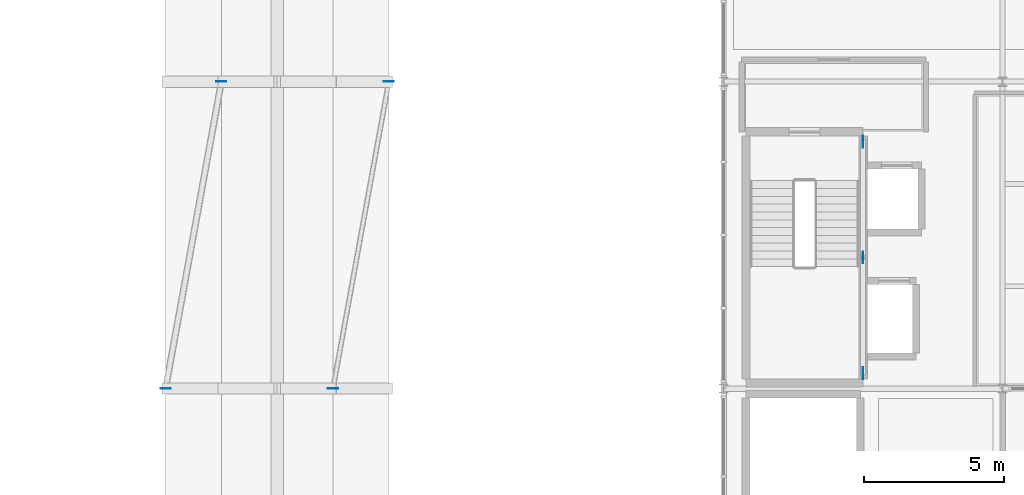
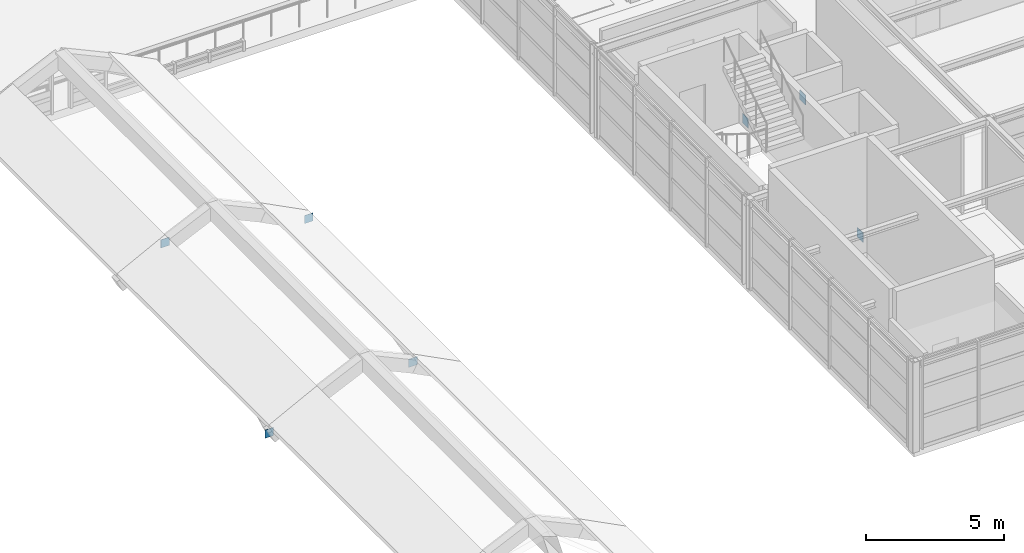
# One storey, part 37 of 49: 7 plates.
"""IFC4 building model written with IfcOpenShell, lengths in metres."""

import ifcopenshell
import ifcopenshell.guid

model = None  # the IFC model being written
_history = None  # IfcOwnerHistory: only IFC2X3 demands one
_inside = {}  # id of a spatial element -> (the spatial element, [elements in it])
_under = {}  # id of a project, library or spatial element -> (it, [spatial elements below it])
_declared = {}  # id of a project -> (the project, [libraries it declares])
_typed = {}  # id of a type object -> (the type object, [elements of that type])
_made_of = {}  # id of a material, layer set ... -> (it, [elements and type objects made of it])


def new_model(schema):
    """Start an empty IFC model of exactly this schema.

    Asked for "IFC4X3", IfcOpenShell would pick the latest addendum, in which some entities
    have other attributes; the version numbers below select the first issue.
    IFC2X3 requires an IfcOwnerHistory on every rooted entity: one is made here for all.
    """
    global model, _history
    if schema == "IFC4X3":
        model = ifcopenshell.file(schema_version=(4, 3, 0, 0))
    else:
        model = ifcopenshell.file(schema=schema)
    _inside.clear()
    _under.clear()
    _declared.clear()
    _typed.clear()
    _made_of.clear()
    _history = None
    if model.schema == "IFC2X3":
        org = make("IfcOrganization", Name="unknown")
        user = make(
            "IfcPersonAndOrganization",
            ThePerson=make("IfcPerson", FamilyName="unknown"),
            TheOrganization=org,
        )
        app = make(
            "IfcApplication",
            ApplicationDeveloper=org,
            Version="unknown",
            ApplicationFullName="unknown",
            ApplicationIdentifier="unknown",
        )
        _history = make(
            "IfcOwnerHistory",
            OwningUser=user,
            OwningApplication=app,
            ChangeAction="ADDED",
            CreationDate=0,
        )
    return model


def make(cls, **values):
    """One entity of the class cls with the attributes given. An attribute that is None is left unset."""
    return model.create_entity(
        cls, **{name: value for name, value in values.items() if value is not None}
    )


def rooted(cls, **values):
    """An entity with a GlobalId (a new one), such as an element, a storey or a relation."""
    return make(cls, GlobalId=ifcopenshell.guid.new(), OwnerHistory=_history, **values)


def si_unit(unit_type, name, prefix=None):
    """IfcSIUnit, for example si_unit("LENGTHUNIT", "METRE", prefix="MILLI")."""
    return make("IfcSIUnit", UnitType=unit_type, Prefix=prefix, Name=name)


def assignment(units):
    """IfcUnitAssignment: the units of a project."""
    return None if units is None else make("IfcUnitAssignment", Units=units)


def point(xyz):
    """IfcCartesianPoint."""
    return None if xyz is None else make("IfcCartesianPoint", Coordinates=xyz)


def direction(xyz):
    """IfcDirection."""
    return None if xyz is None else make("IfcDirection", DirectionRatios=xyz)


def frame(location, z_axis=None, x_axis=None):
    """IfcAxis2Placement3D, a coordinate frame: its origin and axes. An axis left out is left unset."""
    return make(
        "IfcAxis2Placement3D",
        Location=point(location),
        Axis=direction(z_axis),
        RefDirection=direction(x_axis),
    )


def frame_2d(location, x_axis=None):
    """IfcAxis2Placement2D, a coordinate frame in the plane: its origin and x axis."""
    return make(
        "IfcAxis2Placement2D", Location=point(location), RefDirection=direction(x_axis)
    )


def origin():
    """The frame at (0, 0, 0) with its axes left unset."""
    return frame((0.0, 0.0, 0.0))


def origin_2d():
    """The frame at (0, 0) in the plane with its x axis left unset."""
    return frame_2d((0.0, 0.0))


def place(relative_to, where):
    """IfcLocalPlacement: puts the frame where relative to a parent placement (None: the world)."""
    return make(
        "IfcLocalPlacement", PlacementRelTo=relative_to, RelativePlacement=where
    )


def context(
    kind, dimensions, precision=None, world=None, true_north=None, identifier=None
):
    """IfcGeometricRepresentationContext, for example the 3D "Model" context."""
    return make(
        "IfcGeometricRepresentationContext",
        ContextIdentifier=identifier,
        ContextType=kind,
        CoordinateSpaceDimension=dimensions,
        Precision=precision,
        WorldCoordinateSystem=world,
        TrueNorth=true_north,
    )


def subcontext(parent, identifier, kind, view, scale=None):
    """IfcGeometricRepresentationSubContext, for example "Body" below "Model"."""
    return make(
        "IfcGeometricRepresentationSubContext",
        ContextIdentifier=identifier,
        ContextType=kind,
        ParentContext=parent,
        TargetScale=scale,
        TargetView=view,
    )


def project(units=None, contexts=None):
    """IfcProject with its units and contexts."""
    return rooted(
        "IfcProject",
        Name="project",
        RepresentationContexts=contexts,
        UnitsInContext=assignment(units),
    )


def spatial(cls, under=None, at=None, **own):
    """A site, building, storey or space (cls), placed at a placement, below another one or the project."""
    s = rooted(cls, ObjectPlacement=at, **own)
    if under is not None:
        _under.setdefault(under.id(), (under, []))[1].append(s)
    return s


def profile(cls, at=None, kind="AREA", **sizes):
    """A parametric profile (cls). Its sizes go by their IFC names, for example OverallWidth=200.0."""
    return make(cls, ProfileType=kind, Position=at, **sizes)


def rectangle(**sizes):
    """IfcRectangleProfileDef."""
    return profile("IfcRectangleProfileDef", **sizes)


def extrude(swept, where, along, depth):
    """IfcExtrudedAreaSolid: the profile swept, set in the frame where, extruded along a direction by depth."""
    return make(
        "IfcExtrudedAreaSolid",
        SweptArea=swept,
        Position=where,
        ExtrudedDirection=direction(along),
        Depth=depth,
    )


def shape(context_of_items, identifier, shape_type, items):
    """IfcShapeRepresentation: the items that make up one representation, for example the "Body"."""
    return make(
        "IfcShapeRepresentation",
        ContextOfItems=context_of_items,
        RepresentationIdentifier=identifier,
        RepresentationType=shape_type,
        Items=items,
    )


def material(Name=None, Category=None):
    """IfcMaterial."""
    return make("IfcMaterial", Name=Name, Category=Category)


def layer(
    of_material, thickness, ventilated=None, Name=None, Category=None, Priority=None
):
    """IfcMaterialLayer: one layer of a wall or slab, of a material (None: an air gap)."""
    return make(
        "IfcMaterialLayer",
        Material=of_material,
        LayerThickness=thickness,
        IsVentilated=ventilated,
        Name=Name,
        Category=Category,
        Priority=Priority,
    )


def layer_set(layers, Name=None):
    """IfcMaterialLayerSet."""
    return make("IfcMaterialLayerSet", MaterialLayers=layers, LayerSetName=Name)


def made_of(thing, what):
    """Note that an element or type object is made of a material, layer set ...; save() writes the relation."""
    if what is not None:
        _made_of.setdefault(what.id(), (what, []))[1].append(thing)
    return thing


def type_object(cls, material=None, **own):
    """A type object (cls), such as IfcWallType, which elements share."""
    return made_of(rooted(cls, **own), material)


def element(
    cls,
    number,
    at=None,
    inside=None,
    cuts=None,
    type_object=None,
    material=None,
    context=None,
    identifier="Body",
    shape_type=None,
    held_by="IfcProductDefinitionShape",
    body=None,
    shapes=None,
    **own,
):
    """One element of the class cls, such as IfcWall. Its Tag is "e" and its number.

    at: its placement. inside: the storey or other place that contains it. cuts: it is an
    opening in that element (IfcRelVoidsElement). A single representation is given by context,
    identifier, shape_type and body (its items); several are given by shapes. held_by: the class
    of the entity that holds the representations. save() writes the other relations.
    """
    e = rooted(cls, Tag="e%d" % number, ObjectPlacement=at, **own)
    if body is not None:
        shapes = [shape(context, identifier, shape_type, body)]
    if shapes is not None:
        e.Representation = make(held_by, Representations=shapes)
    if inside is not None:
        _inside.setdefault(inside.id(), (inside, []))[1].append(e)
    if cuts is not None:
        rooted(
            "IfcRelVoidsElement", RelatingBuildingElement=cuts, RelatedOpeningElement=e
        )
    if type_object is not None:
        _typed.setdefault(type_object.id(), (type_object, []))[1].append(e)
    return made_of(e, material)


def aggregate(whole, parts):
    """IfcRelAggregates: a whole, such as a stair, and the parts it consists of."""
    return rooted("IfcRelAggregates", RelatingObject=whole, RelatedObjects=parts)


def save(model, path):
    """Write the relations noted so far, then the file.

    IfcRelAggregates (storeys below a building ...), IfcRelContainedInSpatialStructure (elements
    in a storey), IfcRelDefinesByType, IfcRelAssociatesMaterial and IfcRelDeclares: one each for
    every whole, place, type object, material and project.
    """
    for whole, parts in _under.values():
        aggregate(whole, parts)
    for where, things in _inside.values():
        rooted(
            "IfcRelContainedInSpatialStructure",
            RelatedElements=things,
            RelatingStructure=where,
        )
    for kind, things in _typed.values():
        rooted("IfcRelDefinesByType", RelatedObjects=things, RelatingType=kind)
    for what, things in _made_of.values():
        rooted("IfcRelAssociatesMaterial", RelatedObjects=things, RelatingMaterial=what)
    for by, libraries in _declared.values():
        rooted("IfcRelDeclares", RelatingContext=by, RelatedDefinitions=libraries)
    model.write(path)


model = new_model("IFC4")

# Units and contexts
model_context = context("Model", 3, precision=1e-05, world=origin(), true_north=direction((0.0, 1.0)))
body_context = subcontext(model_context, "Body", "Model", "MODEL_VIEW")
ifc_project = project(units=[si_unit("LENGTHUNIT", "METRE"), si_unit("AREAUNIT", "SQUARE_METRE"), si_unit("VOLUMEUNIT", "CUBIC_METRE"), si_unit("PLANEANGLEUNIT", "RADIAN"), si_unit("MASSUNIT", "GRAM", prefix="KILO")], contexts=[model_context])

# Site, building, storey
site_placement = place(None, origin())
site = spatial("IfcSite", under=ifc_project, at=site_placement, CompositionType="ELEMENT")
building_placement = place(site_placement, origin())
building = spatial("IfcBuilding", under=site, at=building_placement, Name="Sitalva Quay Ferry Terminal", CompositionType="ELEMENT")
storey_placement = place(building_placement, frame((0.0, 0.0, 10.199951171875)))
storey = spatial("IfcBuildingStorey", under=building, at=storey_placement, Name="L03", CompositionType="ELEMENT", Elevation=10.199951171875)

# Plates
ifc_material_1 = material(Name="Structural Steel S355JR", Category="steel")
ifc_layer_1 = layer(ifc_material_1, 0.01611328125)
ifc_layer_set_1 = layer_set([ifc_layer_1], Name="Structural Steel S355JR")
plate_type_1 = type_object("IfcPlateType", Name="Gusset_360x360x16", PredefinedType="USERDEFINED", material=ifc_layer_set_1)
for number, where, z_axis, x_axis, name in (
    (1, (54.0, 78.0, 0.3203125), (0.0, 0.0, 1.0), (1.0, 0.0, 0.0), "Vault V1 wind brace B7.6 S end plate"),
    (2, (56.0, 89.0, 1.34814453125), (0.0, 0.0, 1.0), (1.0, 0.0, 0.0), "Vault V1 wind brace B7.6 N end plate"),
    (3, (60.0, 78.0, 1.34814453125), (0.0, 0.0, 1.0), (1.0, 0.0, 0.0), "Vault V1 wind brace B7.9 S end plate"),
    (4, (62.0, 89.0, 0.3203125), (0.0, 0.0, 1.0), (1.0, 0.0, 0.0), "Vault V1 wind brace B7.9 N end plate"),
):
    element("IfcPlate", number, at=place(storey_placement, frame(where, z_axis=z_axis, x_axis=x_axis)), inside=storey, type_object=plate_type_1, Name=name, ObjectType="FLANGE_PLATE", PredefinedType="USERDEFINED", context=body_context, shape_type="SweptSolid", body=[
        extrude(rectangle(XDim=0.360107421875, YDim=0.01611328125, at=origin_2d()), origin(), (0.0, 0.0, 1.0), 0.360107421875),
    ])
ifc_material_2 = material(Name="Structural Steel S355JR", Category="steel")
ifc_layer_2 = layer(ifc_material_2, 0.02197265625)
ifc_layer_set_2 = layer_set([ifc_layer_2], Name="Structural Steel S355JR")
plate_type_2 = type_object("IfcPlateType", Name="Gusset_420x420x22", PredefinedType="USERDEFINED", material=ifc_layer_set_2)
for number, where, z_axis, x_axis, name in (
    (5, (79.0, 82.699951171875, 3.489990234375), (0.0, 0.0, 1.0), (1.0, 0.0, 0.0), "Braced frame BF2 L03 APEX gusset"),
    (6, (79.0, 78.550048828125, -0.059814453125), (0.0, 0.0, 1.0), (1.0, 0.0, 0.0), "Braced frame BF2 L03 BASE-A gusset"),
    (7, (79.0, 86.85009765625, -0.059814453125), (0.0, 0.0, 1.0), (1.0, 0.0, 0.0), "Braced frame BF2 L03 BASE-B gusset"),
):
    element("IfcPlate", number, at=place(storey_placement, frame(where, z_axis=z_axis, x_axis=x_axis)), inside=storey, type_object=plate_type_2, Name=name, ObjectType="FLANGE_PLATE", PredefinedType="USERDEFINED", context=body_context, shape_type="SweptSolid", body=[
        extrude(rectangle(XDim=0.02197265625, YDim=0.419921875, at=origin_2d()), origin(), (0.0, 0.0, 1.0), 0.419921875),
    ])

save(model, "model.ifc")
